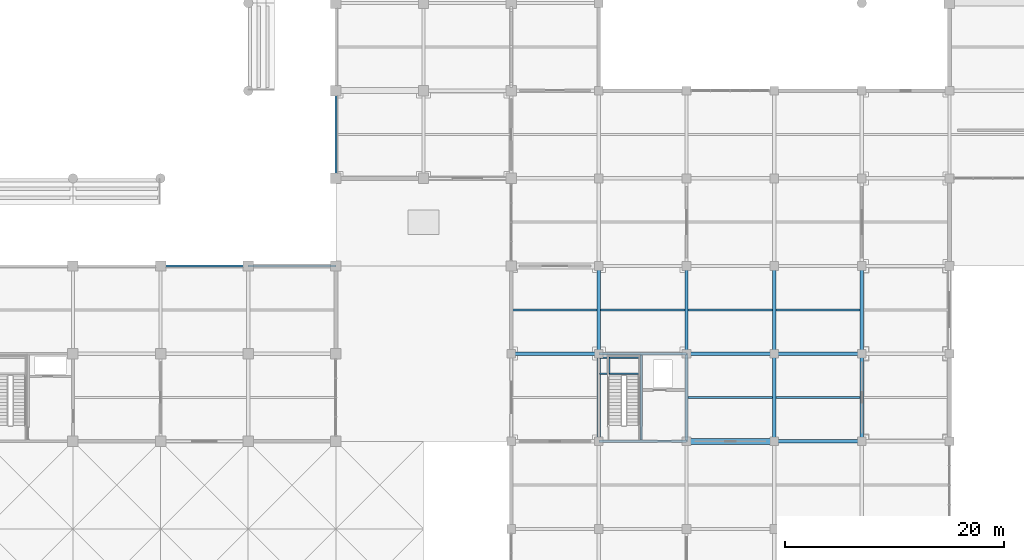
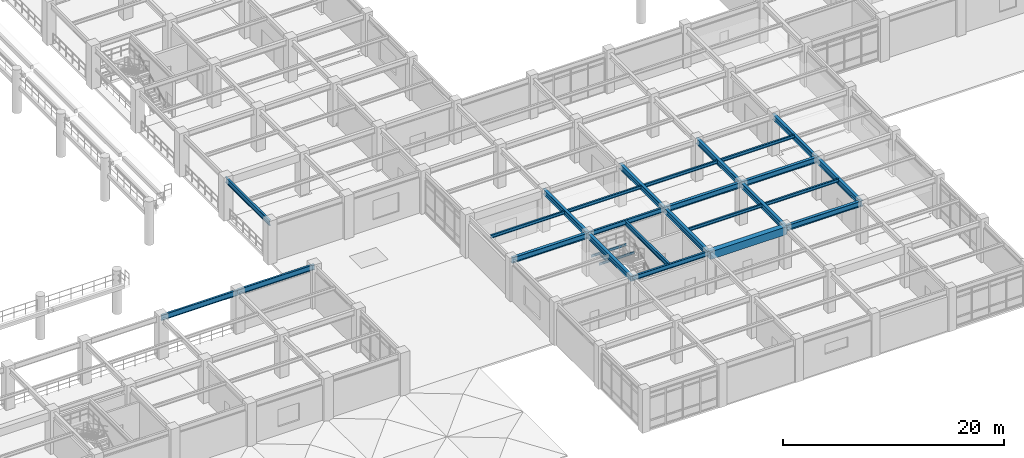
# One storey, part 22 of 109: 28 beams.
"""IFC4 building model written with IfcOpenShell, lengths in metres."""

from ifc_helpers import new_model, si_unit, direction, frame, origin, origin_2d, place, context, subcontext, project, spatial, rectangle, i_section, extrude, material, material_profile, profile_set, type_object, element, save


model = new_model("IFC4")

# Units and contexts
model_context = context("Model", 3, precision=1e-05, world=origin(), true_north=direction((0.0, 1.0)))
body_context = subcontext(model_context, "Body", "Model", "MODEL_VIEW")
ifc_project = project(units=[si_unit("LENGTHUNIT", "METRE"), si_unit("AREAUNIT", "SQUARE_METRE"), si_unit("VOLUMEUNIT", "CUBIC_METRE"), si_unit("PLANEANGLEUNIT", "RADIAN"), si_unit("MASSUNIT", "GRAM", prefix="KILO")], contexts=[model_context])

# Site, building, storey
site_placement = place(None, origin())
site = spatial("IfcSite", under=ifc_project, at=site_placement, CompositionType="ELEMENT")
building_placement = place(site_placement, origin())
building = spatial("IfcBuilding", under=site, at=building_placement, Name="Haebicheon Civic Stadium", CompositionType="ELEMENT")
storey_placement = place(building_placement, frame((0.0, 0.0, 9.60009765625)))
storey = spatial("IfcBuildingStorey", under=building, at=storey_placement, Name="L03", CompositionType="ELEMENT", Elevation=9.60009765625)

# Beams
ifc_material_1 = material(Name="Concrete C40/50", Category="concrete")
ifc_material_profile_1 = material_profile(ifc_material_1, rectangle(XDim=0.550048828125, YDim=0.85009765625, at=origin_2d()), Name="RC-BM-550x850")
ifc_profile_set_1 = profile_set([ifc_material_profile_1], Name="Concrete C40/50")
beam_type_1 = type_object("IfcBeamType", Name="BM-RC-550x850", PredefinedType="BEAM", material=ifc_profile_set_1)
beam_1_placement = place(storey_placement, frame((176.0, 16.0, 4.114990234375), z_axis=(1.0, 0.0, 0.0), x_axis=(0.0, 1.0, 0.0)))
element("IfcBeam", 1, at=beam_1_placement, inside=storey, type_object=beam_type_1, material=ifc_profile_set_1, Name="L03 beam C/23-24", PredefinedType="BEAM", context=body_context, shape_type="SweptSolid", body=[
    extrude(rectangle(XDim=0.550048828125, YDim=0.85009765625, at=origin_2d()), origin(), (0.0, 0.0, 1.0), 8.0),
])
ifc_material_2 = material(Name="Steel SM355 (S355)", Category="steel")
ifc_material_profile_2 = material_profile(ifc_material_2, i_section(OverallWidth=0.199951171875, OverallDepth=0.5, WebThickness=0.010009765625, FlangeThickness=0.01611328125, at=origin_2d()), Name="H-500x200x10x16")
ifc_profile_set_2 = profile_set([ifc_material_profile_2], Name="Steel SM355 (S355)")
beam_type_2 = type_object("IfcBeamType", Name="BM-ST-H500", PredefinedType="BEAM", material=ifc_profile_set_2)
for number, where, z_axis, x_axis, name in (
    (2, (168.0, 16.0, 4.289794921875), (1.0, 0.0, 0.0), (0.0, 1.0, 0.0), "L03 beam C/22-23"),
    (3, (168.0, 24.0, 4.289794921875), (1.0, 0.0, 0.0), (0.0, 1.0, 0.0), "L03 beam D/22-23"),
):
    element("IfcBeam", number, at=place(storey_placement, frame(where, z_axis=z_axis, x_axis=x_axis)), inside=storey, type_object=beam_type_2, material=ifc_profile_set_2, Name=name, PredefinedType="BEAM", context=body_context, shape_type="SweptSolid", body=[
        extrude(i_section(OverallWidth=0.199951171875, OverallDepth=0.5, WebThickness=0.010009765625, FlangeThickness=0.01611328125, at=origin_2d()), origin(), (0.0, 0.0, 1.0), 8.0),
    ])
beam_2_placement = place(storey_placement, frame((171.8798828125, 16.10009765625, 4.289794921875), z_axis=(0.0, 1.0, 0.0), x_axis=(-1.0, 0.0, 0.0)))
element("IfcBeam", 4, at=beam_2_placement, inside=storey, type_object=beam_type_2, material=ifc_profile_set_2, Name="L03 KC-14 core dividing wall support beam", PredefinedType="BEAM", context=body_context, shape_type="SweptSolid", body=[
    extrude(i_section(OverallWidth=0.199951171875, OverallDepth=0.5, WebThickness=0.010009765625, FlangeThickness=0.01611328125, at=origin_2d()), origin(), (0.0, 0.0, 1.0), 7.7998046875),
])
ifc_material_3 = material(Name="Steel SM355 (S355)", Category="steel")
ifc_material_profile_3 = material_profile(ifc_material_3, i_section(OverallWidth=0.300048828125, OverallDepth=0.60009765625, WebThickness=0.011962890625, FlangeThickness=0.02001953125, at=origin_2d()), Name="H-600x300x12x20")
ifc_profile_set_3 = profile_set([ifc_material_profile_3], Name="Steel SM355 (S355)")
beam_type_3 = type_object("IfcBeamType", Name="BM-ST-H600A", PredefinedType="BEAM", material=ifc_profile_set_3)
for number, where, z_axis, x_axis, name in (
    (5, (168.0, 16.0, 4.239990234375), (0.0, 1.0, 0.0), (-1.0, 0.0, 0.0), "L03 girder 22/C-D"),
    (6, (168.0, 24.0, 4.239990234375), (0.0, 1.0, 0.0), (-1.0, 0.0, 0.0), "L03 girder 22/D-E"),
    (7, (176.0, 16.0, 4.239990234375), (0.0, 1.0, 0.0), (-1.0, 0.0, 0.0), "L03 girder 23/C-D"),
    (8, (176.0, 24.0, 4.239990234375), (0.0, 1.0, 0.0), (-1.0, 0.0, 0.0), "L03 girder 23/D-E"),
    (9, (184.0, 16.0, 4.239990234375), (0.0, 1.0, 0.0), (-1.0, 0.0, 0.0), "L03 girder 24/C-D"),
    (10, (184.0, 24.0, 4.239990234375), (0.0, 1.0, 0.0), (-1.0, 0.0, 0.0), "L03 girder 24/D-E"),
    (11, (192.0, 16.0, 4.099853515625), (0.0, 1.0, 0.0), (-1.0, 0.0, 0.0), "L03 girder 25/C-D"),
    (12, (192.0, 24.0, 4.099853515625), (0.0, 1.0, 0.0), (-1.0, 0.0, 0.0), "L03 girder 25/D-E"),
    (13, (160.0, 24.0, 4.239990234375), (1.0, 0.0, 0.0), (0.0, 1.0, 0.0), "L03 beam D/21-22"),
    (14, (176.0, 24.0, 4.239990234375), (1.0, 0.0, 0.0), (0.0, 1.0, 0.0), "L03 beam D/23-24"),
    (15, (184.0, 16.0, 4.239990234375), (1.0, 0.0, 0.0), (0.0, 1.0, 0.0), "L03 beam C/24-25"),
    (16, (184.0, 24.0, 4.239990234375), (1.0, 0.0, 0.0), (0.0, 1.0, 0.0), "L03 beam D/24-25"),
):
    element("IfcBeam", number, at=place(storey_placement, frame(where, z_axis=z_axis, x_axis=x_axis)), inside=storey, type_object=beam_type_3, material=ifc_profile_set_3, Name=name, PredefinedType="BEAM", context=body_context, shape_type="SweptSolid", body=[
        extrude(i_section(OverallWidth=0.300048828125, OverallDepth=0.60009765625, WebThickness=0.011962890625, FlangeThickness=0.02001953125, at=origin_2d()), origin(), (0.0, 0.0, 1.0), 8.0),
    ])
ifc_material_4 = material(Name="Steel SM355 (S355)", Category="steel")
ifc_material_profile_4 = material_profile(ifc_material_4, i_section(OverallWidth=0.125, OverallDepth=0.25, WebThickness=0.006103515625, FlangeThickness=0.009033203125, at=origin_2d()), Name="H-250x125x6x9")
ifc_profile_set_4 = profile_set([ifc_material_profile_4], Name="Steel SM355 (S355)")
beam_type_4 = type_object("IfcBeamType", Name="JST-ST-H250", PredefinedType="JOIST", material=ifc_profile_set_4)
for number, where, z_axis, x_axis, name in (
    (17, (168.080078125, 22.169921875, 2.072021484375), (1.0, 0.0, 0.0), (0.0, 1.0, 0.0), "KC-14 L03 stair half-landing front trimmer beam"),
    (18, (168.080078125, 23.6201171875, 2.072021484375), (1.0, 0.0, 0.0), (0.0, 1.0, 0.0), "KC-14 L03 stair half-landing rear trimmer beam"),
):
    element("IfcBeam", number, at=place(storey_placement, frame(where, z_axis=z_axis, x_axis=x_axis)), inside=storey, type_object=beam_type_4, material=ifc_profile_set_4, Name=name, PredefinedType="JOIST", context=body_context, shape_type="SweptSolid", body=[
        extrude(i_section(OverallWidth=0.125, OverallDepth=0.25, WebThickness=0.006103515625, FlangeThickness=0.009033203125, at=origin_2d()), origin(), (0.0, 0.0, 1.0), 3.719970703125),
    ])
beam_3_placement = place(storey_placement, frame((168.9599609375, 22.169921875, 2.072021484375), z_axis=(0.0, 1.0, 0.0), x_axis=(-1.0, 0.0, 0.0)))
element("IfcBeam", 19, at=beam_3_placement, inside=storey, type_object=beam_type_4, material=ifc_profile_set_4, Name="KC-14 L03 stair half-landing transverse tie beam", PredefinedType="JOIST", context=body_context, shape_type="SweptSolid", body=[
    extrude(i_section(OverallWidth=0.125, OverallDepth=0.25, WebThickness=0.006103515625, FlangeThickness=0.009033203125, at=origin_2d()), origin(), (0.0, 0.0, 1.0), 1.4501953125),
])
ifc_material_5 = material(Name="Steel SM355 (S355)", Category="steel")
ifc_material_profile_5 = material_profile(ifc_material_5, i_section(OverallWidth=0.175048828125, OverallDepth=0.35009765625, WebThickness=0.007080078125, FlangeThickness=0.010986328125, at=origin_2d()), Name="H-350x175x7x11")
ifc_profile_set_5 = profile_set([ifc_material_profile_5], Name="Steel SM355 (S355)")
beam_type_5 = type_object("IfcBeamType", Name="JST-ST-H350", PredefinedType="JOIST", material=ifc_profile_set_5)
beam_4_placement = place(storey_placement, frame((160.10009765625, 28.0, 4.364990234375), z_axis=(1.0, 0.0, 0.0), x_axis=(0.0, 1.0, 0.0)))
element("IfcBeam", 20, at=beam_4_placement, inside=storey, type_object=beam_type_5, material=ifc_profile_set_5, Name="L03 secondary joist 20-03", PredefinedType="JOIST", context=body_context, shape_type="SweptSolid", body=[
    extrude(i_section(OverallWidth=0.175048828125, OverallDepth=0.35009765625, WebThickness=0.007080078125, FlangeThickness=0.010986328125, at=origin_2d()), origin(), (0.0, 0.0, 1.0), 7.75),
])
for number, where, z_axis, x_axis, name in (
    (21, (168.14990234375, 28.0, 4.364990234375), (1.0, 0.0, 0.0), (0.0, 1.0, 0.0), "L03 secondary joist 21-03"),
    (22, (176.14990234375, 20.0, 4.364990234375), (1.0, 0.0, 0.0), (0.0, 1.0, 0.0), "L03 secondary joist 22-02"),
    (23, (176.14990234375, 28.0, 4.364990234375), (1.0, 0.0, 0.0), (0.0, 1.0, 0.0), "L03 secondary joist 22-03"),
    (24, (184.14990234375, 20.0, 4.364990234375), (1.0, 0.0, 0.0), (0.0, 1.0, 0.0), "L03 secondary joist 23-02"),
    (25, (184.14990234375, 28.0, 4.364990234375), (1.0, 0.0, 0.0), (0.0, 1.0, 0.0), "L03 secondary joist 23-03"),
):
    element("IfcBeam", number, at=place(storey_placement, frame(where, z_axis=z_axis, x_axis=x_axis)), inside=storey, type_object=beam_type_5, material=ifc_profile_set_5, Name=name, PredefinedType="JOIST", context=body_context, shape_type="SweptSolid", body=[
        extrude(i_section(OverallWidth=0.175048828125, OverallDepth=0.35009765625, WebThickness=0.007080078125, FlangeThickness=0.010986328125, at=origin_2d()), origin(), (0.0, 0.0, 1.0), 7.7001953125),
    ])
ifc_material_6 = material(Name="Steel SM355 (S355)", Category="steel")
ifc_material_profile_6 = material_profile(ifc_material_6, i_section(OverallWidth=0.199951171875, OverallDepth=0.60009765625, WebThickness=0.010986328125, FlangeThickness=0.01708984375, at=origin_2d()), Name="H-600x200x11x17")
ifc_profile_set_6 = profile_set([ifc_material_profile_6], Name="Steel SM355 (S355)")
beam_type_6 = type_object("IfcBeamType", Name="SPD-ST-H600B", PredefinedType="SPANDREL", material=ifc_profile_set_6)
for number, where, z_axis, x_axis, name in (
    (26, (144.0, 40.0, 4.239990234375), (0.0, 1.0, 0.0), (-1.0, 0.0, 0.0), "L03 girder 19/F-G"),
    (27, (128.0, 32.0, 4.239990234375), (1.0, 0.0, 0.0), (0.0, 1.0, 0.0), "L03 beam E/17-18"),
    (28, (136.0, 32.0, 4.27978515625), (1.0, 0.0, 0.0), (0.0, 1.0, 0.0), "L03 beam E/18-19"),
):
    element("IfcBeam", number, at=place(storey_placement, frame(where, z_axis=z_axis, x_axis=x_axis)), inside=storey, type_object=beam_type_6, material=ifc_profile_set_6, Name=name, PredefinedType="SPANDREL", context=body_context, shape_type="SweptSolid", body=[
        extrude(i_section(OverallWidth=0.199951171875, OverallDepth=0.60009765625, WebThickness=0.010986328125, FlangeThickness=0.01708984375, at=origin_2d()), origin(), (0.0, 0.0, 1.0), 8.0),
    ])

save(model, "model.ifc")
